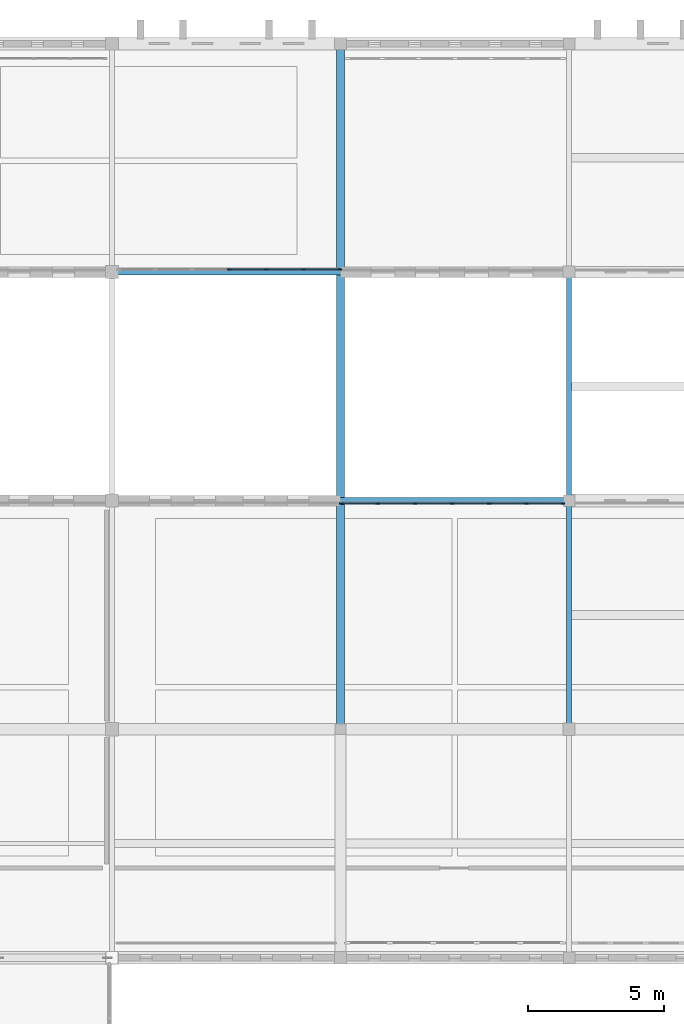
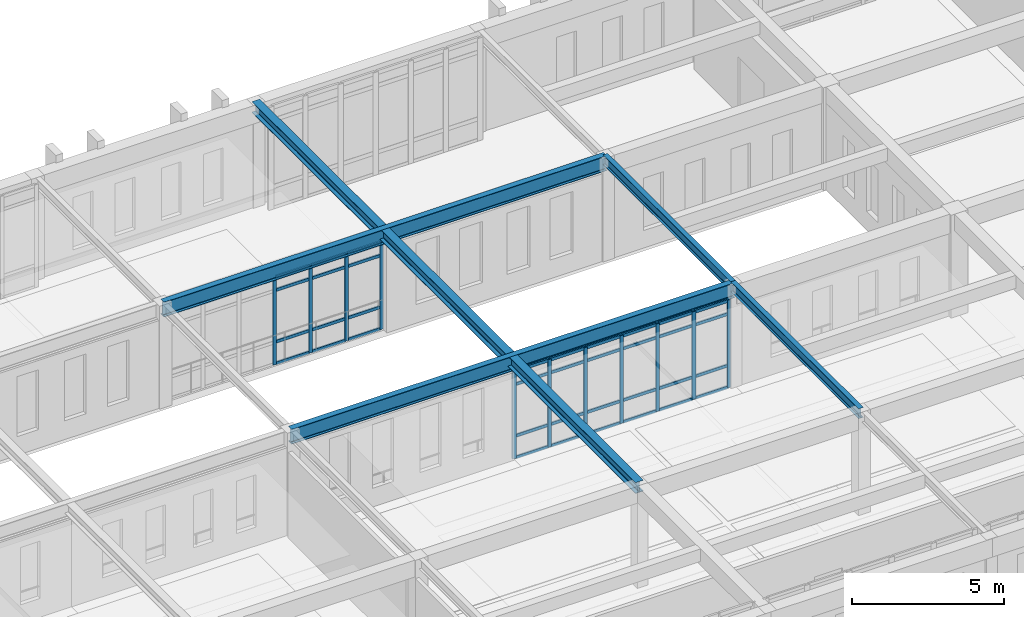
# One storey, part 95 of 192: 47 members, 5 beams, 2 elements without a shape of their own.
"""IFC4 building model written with IfcOpenShell, lengths in metres."""

from ifc_helpers import new_model, si_unit, direction, frame, origin, origin_2d, place, context, subcontext, project, spatial, rectangle, i_section, extrude, material, layer, layer_set, material_profile, profile_set, type_object, element, aggregate, save


model = new_model("IFC4")

# Units and contexts
model_context = context("Model", 3, precision=1e-05, world=origin(), true_north=direction((0.0, 1.0)))
body_context = subcontext(model_context, "Body", "Model", "MODEL_VIEW")
ifc_project = project(units=[si_unit("LENGTHUNIT", "METRE"), si_unit("AREAUNIT", "SQUARE_METRE"), si_unit("VOLUMEUNIT", "CUBIC_METRE"), si_unit("PLANEANGLEUNIT", "RADIAN"), si_unit("MASSUNIT", "GRAM", prefix="KILO")], contexts=[model_context])

# Site, building, storey
site_placement = place(None, origin())
site = spatial("IfcSite", under=ifc_project, at=site_placement, CompositionType="ELEMENT")
building_placement = place(site_placement, origin())
building = spatial("IfcBuilding", under=site, at=building_placement, Name="Kveldsbrygga Polytechnic", CompositionType="ELEMENT")
storey_placement = place(building_placement, frame((0.0, 0.0, 5.43994140625)))
storey = spatial("IfcBuildingStorey", under=building, at=storey_placement, Name="L01", CompositionType="ELEMENT", Elevation=5.43994140625)

# Beams
ifc_material_1 = material(Name="Steel S355", Category="steel")
ifc_material_profile_1 = material_profile(ifc_material_1, i_section(OverallWidth=0.300048828125, OverallDepth=0.43994140625, WebThickness=0.011474609375, FlangeThickness=0.02099609375, FilletRadius=0.027099609375, at=origin_2d()), Name="HEA 450")
ifc_profile_set_1 = profile_set([ifc_material_profile_1], Name="Steel S355")
beam_type_1 = type_object("IfcBeamType", Name="BM-STL-HEA450", PredefinedType="BEAM", material=ifc_profile_set_1)
beam_1_placement = place(storey_placement, frame((84.0, 92.39990234375, 3.900146484375), z_axis=(0.0, 1.0, 0.0), x_axis=(-1.0, 0.0, 0.0)))
element("IfcBeam", 1, at=beam_1_placement, inside=storey, type_object=beam_type_1, Name="Primary Beam BMY-L01-10-11to14", PredefinedType="BEAM", context=body_context, shape_type="SweptSolid", body=[
    extrude(i_section(OverallWidth=0.300048828125, OverallDepth=0.43994140625, WebThickness=0.011474609375, FlangeThickness=0.02099609375, FilletRadius=0.027099609375, at=origin_2d()), origin(), (0.0, 0.0, 1.0), 25.2001953125),
])
ifc_material_profile_2 = material_profile(ifc_material_1, i_section(OverallWidth=0.179931640625, OverallDepth=0.39990234375, WebThickness=0.008544921875, FlangeThickness=0.013427734375, FilletRadius=0.02099609375, at=origin_2d()), Name="IPE 400")
ifc_profile_set_2 = profile_set([ifc_material_profile_2], Name="Steel S355")
beam_type_2 = type_object("IfcBeamType", Name="BM-STL-IPE400", PredefinedType="BEAM", material=ifc_profile_set_2)
beam_2_placement = place(storey_placement, frame((92.39990234375, 92.39990234375, 3.920166015625), z_axis=(0.0, 1.0, 0.0), x_axis=(-1.0, 0.0, 0.0)))
element("IfcBeam", 2, at=beam_2_placement, inside=storey, type_object=beam_type_2, Name="Primary Beam BMY-L01-11-11to12", PredefinedType="BEAM", context=body_context, shape_type="SweptSolid", body=[
    extrude(i_section(OverallWidth=0.179931640625, OverallDepth=0.39990234375, WebThickness=0.008544921875, FlangeThickness=0.013427734375, FilletRadius=0.02099609375, at=origin_2d()), origin(), (0.0, 0.0, 1.0), 8.400146484375),
])
beam_3_placement = place(storey_placement, frame((92.39990234375, 100.800048828125, 3.920166015625), z_axis=(0.0, 1.0, 0.0), x_axis=(-1.0, 0.0, 0.0)))
element("IfcBeam", 3, at=beam_3_placement, inside=storey, type_object=beam_type_2, Name="Primary Beam BMY-L01-11-12to13", PredefinedType="BEAM", context=body_context, shape_type="SweptSolid", body=[
    extrude(i_section(OverallWidth=0.179931640625, OverallDepth=0.39990234375, WebThickness=0.008544921875, FlangeThickness=0.013427734375, FilletRadius=0.02099609375, at=origin_2d()), origin(), (0.0, 0.0, 1.0), 8.39990234375),
])
ifc_material_profile_3 = material_profile(ifc_material_1, i_section(OverallWidth=0.219970703125, OverallDepth=0.60009765625, WebThickness=0.011962890625, FlangeThickness=0.01904296875, FilletRadius=0.02392578125, at=origin_2d()), Name="IPE 600")
ifc_profile_set_3 = profile_set([ifc_material_profile_3], Name="Steel S355")
beam_type_3 = type_object("IfcBeamType", Name="BM-STL-IPE600", PredefinedType="BEAM", material=ifc_profile_set_3)
for number, where, z_axis, x_axis, name in (
    (4, (75.60009765625, 100.800048828125, 3.820068359375), (1.0, 0.0, 0.0), (0.0, 1.0, 0.0), "Primary Beam BMX-L01-09to11-12"),
    (5, (75.60009765625, 109.199951171875, 3.820068359375), (1.0, 0.0, 0.0), (0.0, 1.0, 0.0), "Primary Beam BMX-L01-09to11-13"),
):
    element("IfcBeam", number, at=place(storey_placement, frame(where, z_axis=z_axis, x_axis=x_axis)), inside=storey, type_object=beam_type_3, Name=name, PredefinedType="BEAM", context=body_context, shape_type="SweptSolid", body=[
        extrude(i_section(OverallWidth=0.219970703125, OverallDepth=0.60009765625, WebThickness=0.011962890625, FlangeThickness=0.01904296875, FilletRadius=0.02392578125, at=origin_2d()), origin(), (0.0, 0.0, 1.0), 16.7998046875),
    ])

# Curtain wall, members
ifc_material_2 = material(Name="Anodised aluminium AW-6060", Category="aluminium")
ifc_layer = layer(ifc_material_2, 0.179931640625)
ifc_layer_set = layer_set([ifc_layer], Name="Anodised aluminium AW-6060")
curtain_wall_type = type_object("IfcCurtainWallType", Name="CW-CONC-A", PredefinedType="USERDEFINED", material=ifc_layer_set)
curtain_wall_1_placement = place(storey_placement, origin())
curtain_wall_1 = element("IfcCurtainWall", 6, at=curtain_wall_1_placement, inside=storey, type_object=curtain_wall_type, Name="Curtain Wall CW-L01-X-09-13", ObjectType="UNITISED CURTAIN WALL", PredefinedType="USERDEFINED")
ifc_material_profile_4 = material_profile(ifc_material_2, rectangle(XDim=0.06005859375, YDim=0.139892578125, at=origin_2d()), Name="ALU 60x140")
ifc_profile_set_4 = profile_set([ifc_material_profile_4], Name="Anodised aluminium AW-6060")
member_type_1 = type_object("IfcMemberType", Name="CW-MUL-140", PredefinedType="MULLION", material=ifc_profile_set_4)
member_1_placement = place(storey_placement, frame((79.91259765625, 109.300048828125, 0.0), z_axis=(0.0, 0.0, 1.0), x_axis=(0.0, 1.0, 0.0)))
member_1 = element("IfcMember", 7, at=member_1_placement, type_object=member_type_1, Name="CW-01 mullion 4", PredefinedType="MULLION", context=body_context, shape_type="SweptSolid", body=[
    extrude(rectangle(XDim=0.06005859375, YDim=0.139892578125, at=origin_2d()), origin(), (0.0, 0.0, 1.0), 3.52001953125),
])
member_2_placement = place(storey_placement, frame((81.27490234375, 109.300048828125, 0.0), z_axis=(0.0, 0.0, 1.0), x_axis=(0.0, 1.0, 0.0)))
member_2 = element("IfcMember", 8, at=member_2_placement, type_object=member_type_1, Name="CW-01 mullion 5", PredefinedType="MULLION", context=body_context, shape_type="SweptSolid", body=[
    extrude(rectangle(XDim=0.06005859375, YDim=0.139892578125, at=origin_2d()), origin(), (0.0, 0.0, 1.0), 3.52001953125),
])
member_3_placement = place(storey_placement, frame((82.637451171875, 109.300048828125, 0.0), z_axis=(0.0, 0.0, 1.0), x_axis=(0.0, 1.0, 0.0)))
member_3 = element("IfcMember", 9, at=member_3_placement, type_object=member_type_1, Name="CW-01 mullion 6", PredefinedType="MULLION", context=body_context, shape_type="SweptSolid", body=[
    extrude(rectangle(XDim=0.06005859375, YDim=0.139892578125, at=origin_2d()), origin(), (0.0, 0.0, 1.0), 3.52001953125),
])
member_4_placement = place(storey_placement, frame((83.969970703125, 109.300048828125, 0.0), z_axis=(0.0, 0.0, 1.0), x_axis=(0.0, 1.0, 0.0)))
member_4 = element("IfcMember", 10, at=member_4_placement, type_object=member_type_1, Name="CW-01 mullion 7", PredefinedType="MULLION", context=body_context, shape_type="SweptSolid", body=[
    extrude(rectangle(XDim=0.06005859375, YDim=0.139892578125, at=origin_2d()), origin(), (0.0, 0.0, 1.0), 3.52001953125),
])

curtain_wall_2_placement = place(storey_placement, origin())
curtain_wall_2 = element("IfcCurtainWall", 11, at=curtain_wall_2_placement, inside=storey, type_object=curtain_wall_type, Name="Curtain Wall CW-L01-X-10-12", ObjectType="UNITISED CURTAIN WALL", PredefinedType="USERDEFINED")
member_5_placement = place(storey_placement, frame((84.030029296875, 100.699951171875, 0.0), z_axis=(0.0, 0.0, 1.0), x_axis=(0.0, 1.0, 0.0)))
member_5 = element("IfcMember", 12, at=member_5_placement, type_object=member_type_1, Name="CW-01 mullion 1", PredefinedType="MULLION", context=body_context, shape_type="SweptSolid", body=[
    extrude(rectangle(XDim=0.06005859375, YDim=0.139892578125, at=origin_2d()), origin(), (0.0, 0.0, 1.0), 3.52001953125),
])
member_6_placement = place(storey_placement, frame((85.367431640625, 100.699951171875, 0.0), z_axis=(0.0, 0.0, 1.0), x_axis=(0.0, 1.0, 0.0)))
member_6 = element("IfcMember", 13, at=member_6_placement, type_object=member_type_1, Name="CW-01 mullion 2", PredefinedType="MULLION", context=body_context, shape_type="SweptSolid", body=[
    extrude(rectangle(XDim=0.06005859375, YDim=0.139892578125, at=origin_2d()), origin(), (0.0, 0.0, 1.0), 3.52001953125),
])
member_7_placement = place(storey_placement, frame((86.735107421875, 100.699951171875, 0.0), z_axis=(0.0, 0.0, 1.0), x_axis=(0.0, 1.0, 0.0)))
member_7 = element("IfcMember", 14, at=member_7_placement, type_object=member_type_1, Name="CW-01 mullion 3", PredefinedType="MULLION", context=body_context, shape_type="SweptSolid", body=[
    extrude(rectangle(XDim=0.06005859375, YDim=0.139892578125, at=origin_2d()), origin(), (0.0, 0.0, 1.0), 3.52001953125),
])
member_8_placement = place(storey_placement, frame((88.1025390625, 100.699951171875, 0.0), z_axis=(0.0, 0.0, 1.0), x_axis=(0.0, 1.0, 0.0)))
member_8 = element("IfcMember", 15, at=member_8_placement, type_object=member_type_1, Name="CW-01 mullion 4", PredefinedType="MULLION", context=body_context, shape_type="SweptSolid", body=[
    extrude(rectangle(XDim=0.06005859375, YDim=0.139892578125, at=origin_2d()), origin(), (0.0, 0.0, 1.0), 3.52001953125),
])
member_9_placement = place(storey_placement, frame((89.469970703125, 100.699951171875, 0.0), z_axis=(0.0, 0.0, 1.0), x_axis=(0.0, 1.0, 0.0)))
member_9 = element("IfcMember", 16, at=member_9_placement, type_object=member_type_1, Name="CW-01 mullion 5", PredefinedType="MULLION", context=body_context, shape_type="SweptSolid", body=[
    extrude(rectangle(XDim=0.06005859375, YDim=0.139892578125, at=origin_2d()), origin(), (0.0, 0.0, 1.0), 3.52001953125),
])
member_10_placement = place(storey_placement, frame((90.83740234375, 100.699951171875, 0.0), z_axis=(0.0, 0.0, 1.0), x_axis=(0.0, 1.0, 0.0)))
member_10 = element("IfcMember", 17, at=member_10_placement, type_object=member_type_1, Name="CW-01 mullion 6", PredefinedType="MULLION", context=body_context, shape_type="SweptSolid", body=[
    extrude(rectangle(XDim=0.06005859375, YDim=0.139892578125, at=origin_2d()), origin(), (0.0, 0.0, 1.0), 3.52001953125),
])
member_11_placement = place(storey_placement, frame((92.175048828125, 100.699951171875, 0.0), z_axis=(0.0, 0.0, 1.0), x_axis=(0.0, 1.0, 0.0)))
member_11 = element("IfcMember", 18, at=member_11_placement, type_object=member_type_1, Name="CW-01 mullion 7", PredefinedType="MULLION", context=body_context, shape_type="SweptSolid", body=[
    extrude(rectangle(XDim=0.06005859375, YDim=0.139892578125, at=origin_2d()), origin(), (0.0, 0.0, 1.0), 3.52001953125),
])

# Member
ifc_material_profile_5 = material_profile(ifc_material_2, rectangle(XDim=0.06005859375, YDim=0.1201171875, at=origin_2d()), Name="ALU 60x120")
ifc_profile_set_5 = profile_set([ifc_material_profile_5], Name="Anodised aluminium AW-6060")
member_type_2 = type_object("IfcMemberType", Name="CW-TRN-120", PredefinedType="USERDEFINED", material=ifc_profile_set_5)
member_12_placement = place(storey_placement, frame((79.9423828125, 109.300048828125, 0.030029296875), z_axis=(1.0, 0.0, 0.0), x_axis=(0.0, 1.0, 0.0)))
member_12 = element("IfcMember", 19, at=member_12_placement, type_object=member_type_2, Name="CW-01 transom 4.1", ObjectType="TRANSOM", PredefinedType="USERDEFINED", context=body_context, shape_type="SweptSolid", body=[
    extrude(rectangle(XDim=0.06005859375, YDim=0.1201171875, at=origin_2d()), origin(), (0.0, 0.0, 1.0), 1.302734375),
])

member_13_placement = place(storey_placement, frame((79.9423828125, 109.300048828125, 0.900146484375), z_axis=(1.0, 0.0, 0.0), x_axis=(0.0, 1.0, 0.0)))
member_13 = element("IfcMember", 20, at=member_13_placement, type_object=member_type_2, Name="CW-01 transom 4.2", ObjectType="TRANSOM", PredefinedType="USERDEFINED", context=body_context, shape_type="SweptSolid", body=[
    extrude(rectangle(XDim=0.06005859375, YDim=0.1201171875, at=origin_2d()), origin(), (0.0, 0.0, 1.0), 1.302734375),
])

member_14_placement = place(storey_placement, frame((79.9423828125, 109.300048828125, 2.969970703125), z_axis=(1.0, 0.0, 0.0), x_axis=(0.0, 1.0, 0.0)))
member_14 = element("IfcMember", 21, at=member_14_placement, type_object=member_type_2, Name="CW-01 transom 4.3", ObjectType="TRANSOM", PredefinedType="USERDEFINED", context=body_context, shape_type="SweptSolid", body=[
    extrude(rectangle(XDim=0.06005859375, YDim=0.1201171875, at=origin_2d()), origin(), (0.0, 0.0, 1.0), 1.302734375),
])

member_15_placement = place(storey_placement, frame((79.9423828125, 109.300048828125, 3.489990234375), z_axis=(1.0, 0.0, 0.0), x_axis=(0.0, 1.0, 0.0)))
member_15 = element("IfcMember", 22, at=member_15_placement, type_object=member_type_2, Name="CW-01 transom 4.4", ObjectType="TRANSOM", PredefinedType="USERDEFINED", context=body_context, shape_type="SweptSolid", body=[
    extrude(rectangle(XDim=0.06005859375, YDim=0.1201171875, at=origin_2d()), origin(), (0.0, 0.0, 1.0), 1.302734375),
])

member_16_placement = place(storey_placement, frame((81.304931640625, 109.300048828125, 0.030029296875), z_axis=(1.0, 0.0, 0.0), x_axis=(0.0, 1.0, 0.0)))
member_16 = element("IfcMember", 23, at=member_16_placement, type_object=member_type_2, Name="CW-01 transom 5.1", ObjectType="TRANSOM", PredefinedType="USERDEFINED", context=body_context, shape_type="SweptSolid", body=[
    extrude(rectangle(XDim=0.06005859375, YDim=0.1201171875, at=origin_2d()), origin(), (0.0, 0.0, 1.0), 1.302490234375),
])

member_17_placement = place(storey_placement, frame((81.304931640625, 109.300048828125, 0.900146484375), z_axis=(1.0, 0.0, 0.0), x_axis=(0.0, 1.0, 0.0)))
member_17 = element("IfcMember", 24, at=member_17_placement, type_object=member_type_2, Name="CW-01 transom 5.2", ObjectType="TRANSOM", PredefinedType="USERDEFINED", context=body_context, shape_type="SweptSolid", body=[
    extrude(rectangle(XDim=0.06005859375, YDim=0.1201171875, at=origin_2d()), origin(), (0.0, 0.0, 1.0), 1.302490234375),
])

member_18_placement = place(storey_placement, frame((81.304931640625, 109.300048828125, 2.969970703125), z_axis=(1.0, 0.0, 0.0), x_axis=(0.0, 1.0, 0.0)))
member_18 = element("IfcMember", 25, at=member_18_placement, type_object=member_type_2, Name="CW-01 transom 5.3", ObjectType="TRANSOM", PredefinedType="USERDEFINED", context=body_context, shape_type="SweptSolid", body=[
    extrude(rectangle(XDim=0.06005859375, YDim=0.1201171875, at=origin_2d()), origin(), (0.0, 0.0, 1.0), 1.302490234375),
])

member_19_placement = place(storey_placement, frame((81.304931640625, 109.300048828125, 3.489990234375), z_axis=(1.0, 0.0, 0.0), x_axis=(0.0, 1.0, 0.0)))
member_19 = element("IfcMember", 26, at=member_19_placement, type_object=member_type_2, Name="CW-01 transom 5.4", ObjectType="TRANSOM", PredefinedType="USERDEFINED", context=body_context, shape_type="SweptSolid", body=[
    extrude(rectangle(XDim=0.06005859375, YDim=0.1201171875, at=origin_2d()), origin(), (0.0, 0.0, 1.0), 1.302490234375),
])

member_20_placement = place(storey_placement, frame((82.66748046875, 109.300048828125, 0.030029296875), z_axis=(1.0, 0.0, 0.0), x_axis=(0.0, 1.0, 0.0)))
member_20 = element("IfcMember", 27, at=member_20_placement, type_object=member_type_2, Name="CW-01 transom 6.1", ObjectType="TRANSOM", PredefinedType="USERDEFINED", context=body_context, shape_type="SweptSolid", body=[
    extrude(rectangle(XDim=0.06005859375, YDim=0.1201171875, at=origin_2d()), origin(), (0.0, 0.0, 1.0), 1.2724609375),
])

member_21_placement = place(storey_placement, frame((82.66748046875, 109.300048828125, 0.900146484375), z_axis=(1.0, 0.0, 0.0), x_axis=(0.0, 1.0, 0.0)))
member_21 = element("IfcMember", 28, at=member_21_placement, type_object=member_type_2, Name="CW-01 transom 6.2", ObjectType="TRANSOM", PredefinedType="USERDEFINED", context=body_context, shape_type="SweptSolid", body=[
    extrude(rectangle(XDim=0.06005859375, YDim=0.1201171875, at=origin_2d()), origin(), (0.0, 0.0, 1.0), 1.2724609375),
])

member_22_placement = place(storey_placement, frame((82.66748046875, 109.300048828125, 2.969970703125), z_axis=(1.0, 0.0, 0.0), x_axis=(0.0, 1.0, 0.0)))
member_22 = element("IfcMember", 29, at=member_22_placement, type_object=member_type_2, Name="CW-01 transom 6.3", ObjectType="TRANSOM", PredefinedType="USERDEFINED", context=body_context, shape_type="SweptSolid", body=[
    extrude(rectangle(XDim=0.06005859375, YDim=0.1201171875, at=origin_2d()), origin(), (0.0, 0.0, 1.0), 1.2724609375),
])

member_23_placement = place(storey_placement, frame((82.66748046875, 109.300048828125, 3.489990234375), z_axis=(1.0, 0.0, 0.0), x_axis=(0.0, 1.0, 0.0)))
member_23 = element("IfcMember", 30, at=member_23_placement, type_object=member_type_2, Name="CW-01 transom 6.4", ObjectType="TRANSOM", PredefinedType="USERDEFINED", context=body_context, shape_type="SweptSolid", body=[
    extrude(rectangle(XDim=0.06005859375, YDim=0.1201171875, at=origin_2d()), origin(), (0.0, 0.0, 1.0), 1.2724609375),
])

aggregate(curtain_wall_1, [member_1, member_2, member_3, member_4, member_12, member_13, member_14, member_15, member_16, member_17, member_18, member_19, member_20, member_21, member_22, member_23])

member_24_placement = place(storey_placement, frame((84.06005859375, 100.699951171875, 0.030029296875), z_axis=(1.0, 0.0, 0.0), x_axis=(0.0, 1.0, 0.0)))
member_24 = element("IfcMember", 31, at=member_24_placement, type_object=member_type_2, Name="CW-01 transom 1.1", ObjectType="TRANSOM", PredefinedType="USERDEFINED", context=body_context, shape_type="SweptSolid", body=[
    extrude(rectangle(XDim=0.06005859375, YDim=0.1201171875, at=origin_2d()), origin(), (0.0, 0.0, 1.0), 1.27734375),
])

member_25_placement = place(storey_placement, frame((84.06005859375, 100.699951171875, 0.900146484375), z_axis=(1.0, 0.0, 0.0), x_axis=(0.0, 1.0, 0.0)))
member_25 = element("IfcMember", 32, at=member_25_placement, type_object=member_type_2, Name="CW-01 transom 1.2", ObjectType="TRANSOM", PredefinedType="USERDEFINED", context=body_context, shape_type="SweptSolid", body=[
    extrude(rectangle(XDim=0.06005859375, YDim=0.1201171875, at=origin_2d()), origin(), (0.0, 0.0, 1.0), 1.27734375),
])

member_26_placement = place(storey_placement, frame((84.06005859375, 100.699951171875, 2.969970703125), z_axis=(1.0, 0.0, 0.0), x_axis=(0.0, 1.0, 0.0)))
member_26 = element("IfcMember", 33, at=member_26_placement, type_object=member_type_2, Name="CW-01 transom 1.3", ObjectType="TRANSOM", PredefinedType="USERDEFINED", context=body_context, shape_type="SweptSolid", body=[
    extrude(rectangle(XDim=0.06005859375, YDim=0.1201171875, at=origin_2d()), origin(), (0.0, 0.0, 1.0), 1.27734375),
])

member_27_placement = place(storey_placement, frame((84.06005859375, 100.699951171875, 3.489990234375), z_axis=(1.0, 0.0, 0.0), x_axis=(0.0, 1.0, 0.0)))
member_27 = element("IfcMember", 34, at=member_27_placement, type_object=member_type_2, Name="CW-01 transom 1.4", ObjectType="TRANSOM", PredefinedType="USERDEFINED", context=body_context, shape_type="SweptSolid", body=[
    extrude(rectangle(XDim=0.06005859375, YDim=0.1201171875, at=origin_2d()), origin(), (0.0, 0.0, 1.0), 1.27734375),
])

member_28_placement = place(storey_placement, frame((85.3974609375, 100.699951171875, 0.030029296875), z_axis=(1.0, 0.0, 0.0), x_axis=(0.0, 1.0, 0.0)))
member_28 = element("IfcMember", 35, at=member_28_placement, type_object=member_type_2, Name="CW-01 transom 2.1", ObjectType="TRANSOM", PredefinedType="USERDEFINED", context=body_context, shape_type="SweptSolid", body=[
    extrude(rectangle(XDim=0.06005859375, YDim=0.1201171875, at=origin_2d()), origin(), (0.0, 0.0, 1.0), 1.3076171875),
])

member_29_placement = place(storey_placement, frame((85.3974609375, 100.699951171875, 0.900146484375), z_axis=(1.0, 0.0, 0.0), x_axis=(0.0, 1.0, 0.0)))
member_29 = element("IfcMember", 36, at=member_29_placement, type_object=member_type_2, Name="CW-01 transom 2.2", ObjectType="TRANSOM", PredefinedType="USERDEFINED", context=body_context, shape_type="SweptSolid", body=[
    extrude(rectangle(XDim=0.06005859375, YDim=0.1201171875, at=origin_2d()), origin(), (0.0, 0.0, 1.0), 1.3076171875),
])

member_30_placement = place(storey_placement, frame((85.3974609375, 100.699951171875, 2.969970703125), z_axis=(1.0, 0.0, 0.0), x_axis=(0.0, 1.0, 0.0)))
member_30 = element("IfcMember", 37, at=member_30_placement, type_object=member_type_2, Name="CW-01 transom 2.3", ObjectType="TRANSOM", PredefinedType="USERDEFINED", context=body_context, shape_type="SweptSolid", body=[
    extrude(rectangle(XDim=0.06005859375, YDim=0.1201171875, at=origin_2d()), origin(), (0.0, 0.0, 1.0), 1.3076171875),
])

member_31_placement = place(storey_placement, frame((85.3974609375, 100.699951171875, 3.489990234375), z_axis=(1.0, 0.0, 0.0), x_axis=(0.0, 1.0, 0.0)))
member_31 = element("IfcMember", 38, at=member_31_placement, type_object=member_type_2, Name="CW-01 transom 2.4", ObjectType="TRANSOM", PredefinedType="USERDEFINED", context=body_context, shape_type="SweptSolid", body=[
    extrude(rectangle(XDim=0.06005859375, YDim=0.1201171875, at=origin_2d()), origin(), (0.0, 0.0, 1.0), 1.3076171875),
])

member_32_placement = place(storey_placement, frame((86.764892578125, 100.699951171875, 0.030029296875), z_axis=(1.0, 0.0, 0.0), x_axis=(0.0, 1.0, 0.0)))
member_32 = element("IfcMember", 39, at=member_32_placement, type_object=member_type_2, Name="CW-01 transom 3.1", ObjectType="TRANSOM", PredefinedType="USERDEFINED", context=body_context, shape_type="SweptSolid", body=[
    extrude(rectangle(XDim=0.06005859375, YDim=0.1201171875, at=origin_2d()), origin(), (0.0, 0.0, 1.0), 1.3076171875),
])

member_33_placement = place(storey_placement, frame((86.764892578125, 100.699951171875, 0.900146484375), z_axis=(1.0, 0.0, 0.0), x_axis=(0.0, 1.0, 0.0)))
member_33 = element("IfcMember", 40, at=member_33_placement, type_object=member_type_2, Name="CW-01 transom 3.2", ObjectType="TRANSOM", PredefinedType="USERDEFINED", context=body_context, shape_type="SweptSolid", body=[
    extrude(rectangle(XDim=0.06005859375, YDim=0.1201171875, at=origin_2d()), origin(), (0.0, 0.0, 1.0), 1.3076171875),
])

member_34_placement = place(storey_placement, frame((86.764892578125, 100.699951171875, 2.969970703125), z_axis=(1.0, 0.0, 0.0), x_axis=(0.0, 1.0, 0.0)))
member_34 = element("IfcMember", 41, at=member_34_placement, type_object=member_type_2, Name="CW-01 transom 3.3", ObjectType="TRANSOM", PredefinedType="USERDEFINED", context=body_context, shape_type="SweptSolid", body=[
    extrude(rectangle(XDim=0.06005859375, YDim=0.1201171875, at=origin_2d()), origin(), (0.0, 0.0, 1.0), 1.3076171875),
])

member_35_placement = place(storey_placement, frame((86.764892578125, 100.699951171875, 3.489990234375), z_axis=(1.0, 0.0, 0.0), x_axis=(0.0, 1.0, 0.0)))
member_35 = element("IfcMember", 42, at=member_35_placement, type_object=member_type_2, Name="CW-01 transom 3.4", ObjectType="TRANSOM", PredefinedType="USERDEFINED", context=body_context, shape_type="SweptSolid", body=[
    extrude(rectangle(XDim=0.06005859375, YDim=0.1201171875, at=origin_2d()), origin(), (0.0, 0.0, 1.0), 1.3076171875),
])

member_36_placement = place(storey_placement, frame((88.132568359375, 100.699951171875, 0.030029296875), z_axis=(1.0, 0.0, 0.0), x_axis=(0.0, 1.0, 0.0)))
member_36 = element("IfcMember", 43, at=member_36_placement, type_object=member_type_2, Name="CW-01 transom 4.1", ObjectType="TRANSOM", PredefinedType="USERDEFINED", context=body_context, shape_type="SweptSolid", body=[
    extrude(rectangle(XDim=0.06005859375, YDim=0.1201171875, at=origin_2d()), origin(), (0.0, 0.0, 1.0), 1.307373046875),
])

member_37_placement = place(storey_placement, frame((88.132568359375, 100.699951171875, 0.900146484375), z_axis=(1.0, 0.0, 0.0), x_axis=(0.0, 1.0, 0.0)))
member_37 = element("IfcMember", 44, at=member_37_placement, type_object=member_type_2, Name="CW-01 transom 4.2", ObjectType="TRANSOM", PredefinedType="USERDEFINED", context=body_context, shape_type="SweptSolid", body=[
    extrude(rectangle(XDim=0.06005859375, YDim=0.1201171875, at=origin_2d()), origin(), (0.0, 0.0, 1.0), 1.307373046875),
])

member_38_placement = place(storey_placement, frame((88.132568359375, 100.699951171875, 2.969970703125), z_axis=(1.0, 0.0, 0.0), x_axis=(0.0, 1.0, 0.0)))
member_38 = element("IfcMember", 45, at=member_38_placement, type_object=member_type_2, Name="CW-01 transom 4.3", ObjectType="TRANSOM", PredefinedType="USERDEFINED", context=body_context, shape_type="SweptSolid", body=[
    extrude(rectangle(XDim=0.06005859375, YDim=0.1201171875, at=origin_2d()), origin(), (0.0, 0.0, 1.0), 1.307373046875),
])

member_39_placement = place(storey_placement, frame((88.132568359375, 100.699951171875, 3.489990234375), z_axis=(1.0, 0.0, 0.0), x_axis=(0.0, 1.0, 0.0)))
member_39 = element("IfcMember", 46, at=member_39_placement, type_object=member_type_2, Name="CW-01 transom 4.4", ObjectType="TRANSOM", PredefinedType="USERDEFINED", context=body_context, shape_type="SweptSolid", body=[
    extrude(rectangle(XDim=0.06005859375, YDim=0.1201171875, at=origin_2d()), origin(), (0.0, 0.0, 1.0), 1.307373046875),
])

member_40_placement = place(storey_placement, frame((89.5, 100.699951171875, 0.030029296875), z_axis=(1.0, 0.0, 0.0), x_axis=(0.0, 1.0, 0.0)))
member_40 = element("IfcMember", 47, at=member_40_placement, type_object=member_type_2, Name="CW-01 transom 5.1", ObjectType="TRANSOM", PredefinedType="USERDEFINED", context=body_context, shape_type="SweptSolid", body=[
    extrude(rectangle(XDim=0.06005859375, YDim=0.1201171875, at=origin_2d()), origin(), (0.0, 0.0, 1.0), 1.3076171875),
])

member_41_placement = place(storey_placement, frame((89.5, 100.699951171875, 0.900146484375), z_axis=(1.0, 0.0, 0.0), x_axis=(0.0, 1.0, 0.0)))
member_41 = element("IfcMember", 48, at=member_41_placement, type_object=member_type_2, Name="CW-01 transom 5.2", ObjectType="TRANSOM", PredefinedType="USERDEFINED", context=body_context, shape_type="SweptSolid", body=[
    extrude(rectangle(XDim=0.06005859375, YDim=0.1201171875, at=origin_2d()), origin(), (0.0, 0.0, 1.0), 1.3076171875),
])

member_42_placement = place(storey_placement, frame((89.5, 100.699951171875, 2.969970703125), z_axis=(1.0, 0.0, 0.0), x_axis=(0.0, 1.0, 0.0)))
member_42 = element("IfcMember", 49, at=member_42_placement, type_object=member_type_2, Name="CW-01 transom 5.3", ObjectType="TRANSOM", PredefinedType="USERDEFINED", context=body_context, shape_type="SweptSolid", body=[
    extrude(rectangle(XDim=0.06005859375, YDim=0.1201171875, at=origin_2d()), origin(), (0.0, 0.0, 1.0), 1.3076171875),
])

member_43_placement = place(storey_placement, frame((89.5, 100.699951171875, 3.489990234375), z_axis=(1.0, 0.0, 0.0), x_axis=(0.0, 1.0, 0.0)))
member_43 = element("IfcMember", 50, at=member_43_placement, type_object=member_type_2, Name="CW-01 transom 5.4", ObjectType="TRANSOM", PredefinedType="USERDEFINED", context=body_context, shape_type="SweptSolid", body=[
    extrude(rectangle(XDim=0.06005859375, YDim=0.1201171875, at=origin_2d()), origin(), (0.0, 0.0, 1.0), 1.3076171875),
])

member_44_placement = place(storey_placement, frame((90.867431640625, 100.699951171875, 0.030029296875), z_axis=(1.0, 0.0, 0.0), x_axis=(0.0, 1.0, 0.0)))
member_44 = element("IfcMember", 51, at=member_44_placement, type_object=member_type_2, Name="CW-01 transom 6.1", ObjectType="TRANSOM", PredefinedType="USERDEFINED", context=body_context, shape_type="SweptSolid", body=[
    extrude(rectangle(XDim=0.06005859375, YDim=0.1201171875, at=origin_2d()), origin(), (0.0, 0.0, 1.0), 1.277587890625),
])

member_45_placement = place(storey_placement, frame((90.867431640625, 100.699951171875, 0.900146484375), z_axis=(1.0, 0.0, 0.0), x_axis=(0.0, 1.0, 0.0)))
member_45 = element("IfcMember", 52, at=member_45_placement, type_object=member_type_2, Name="CW-01 transom 6.2", ObjectType="TRANSOM", PredefinedType="USERDEFINED", context=body_context, shape_type="SweptSolid", body=[
    extrude(rectangle(XDim=0.06005859375, YDim=0.1201171875, at=origin_2d()), origin(), (0.0, 0.0, 1.0), 1.277587890625),
])

member_46_placement = place(storey_placement, frame((90.867431640625, 100.699951171875, 2.969970703125), z_axis=(1.0, 0.0, 0.0), x_axis=(0.0, 1.0, 0.0)))
member_46 = element("IfcMember", 53, at=member_46_placement, type_object=member_type_2, Name="CW-01 transom 6.3", ObjectType="TRANSOM", PredefinedType="USERDEFINED", context=body_context, shape_type="SweptSolid", body=[
    extrude(rectangle(XDim=0.06005859375, YDim=0.1201171875, at=origin_2d()), origin(), (0.0, 0.0, 1.0), 1.277587890625),
])

member_47_placement = place(storey_placement, frame((90.867431640625, 100.699951171875, 3.489990234375), z_axis=(1.0, 0.0, 0.0), x_axis=(0.0, 1.0, 0.0)))
member_47 = element("IfcMember", 54, at=member_47_placement, type_object=member_type_2, Name="CW-01 transom 6.4", ObjectType="TRANSOM", PredefinedType="USERDEFINED", context=body_context, shape_type="SweptSolid", body=[
    extrude(rectangle(XDim=0.06005859375, YDim=0.1201171875, at=origin_2d()), origin(), (0.0, 0.0, 1.0), 1.277587890625),
])

aggregate(curtain_wall_2, [member_5, member_6, member_7, member_8, member_9, member_10, member_11, member_24, member_25, member_26, member_27, member_28, member_29, member_30, member_31, member_32, member_33, member_34, member_35, member_36, member_37, member_38, member_39, member_40, member_41, member_42, member_43, member_44, member_45, member_46, member_47])

save(model, "model.ifc")
